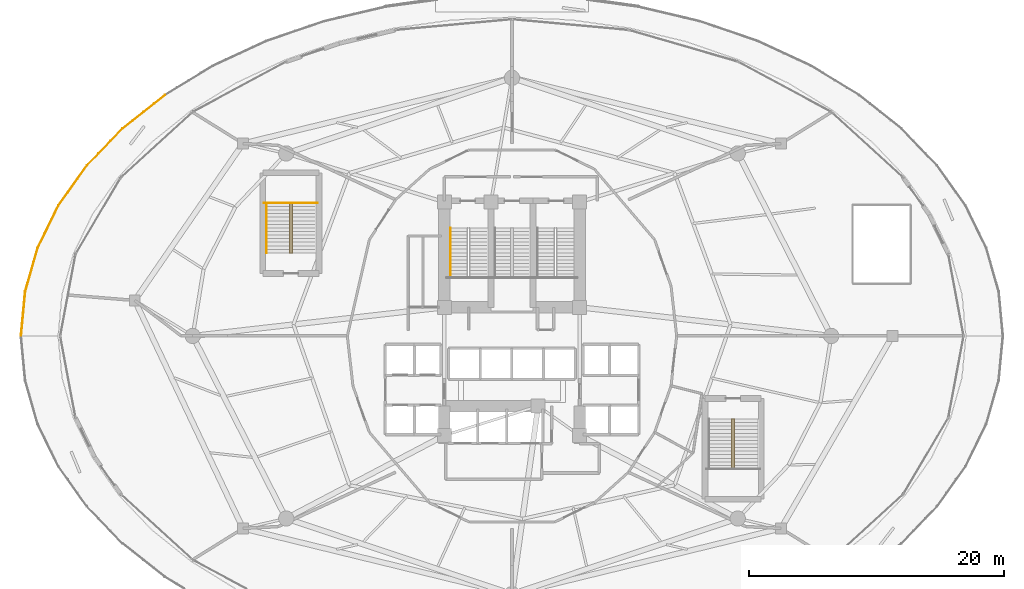
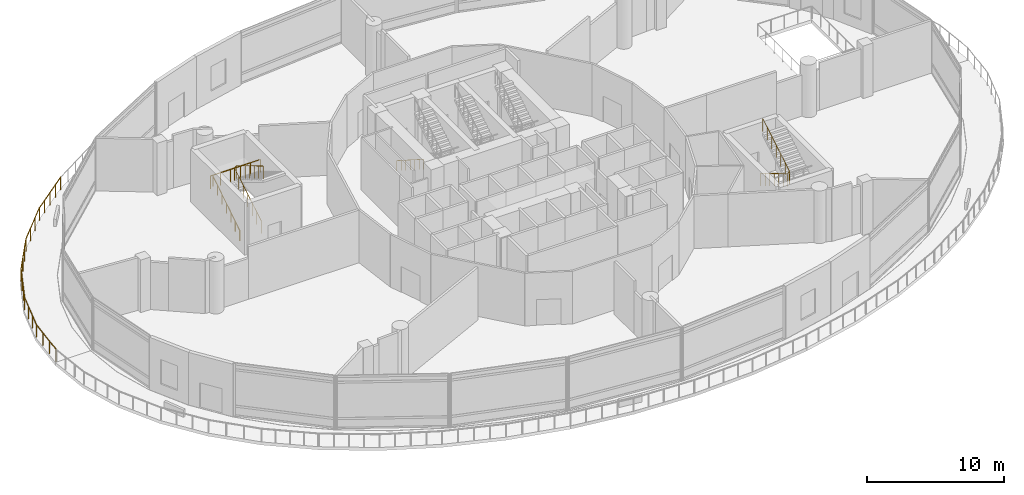
# One storey, part 33 of 36: 6 railings.
"""IFC4 building model written with IfcOpenShell, lengths in metres."""

import ifcopenshell
import ifcopenshell.guid

model = None  # the IFC model being written
_history = None  # IfcOwnerHistory: only IFC2X3 demands one
_inside = {}  # id of a spatial element -> (the spatial element, [elements in it])
_under = {}  # id of a project, library or spatial element -> (it, [spatial elements below it])
_declared = {}  # id of a project -> (the project, [libraries it declares])
_typed = {}  # id of a type object -> (the type object, [elements of that type])
_made_of = {}  # id of a material, layer set ... -> (it, [elements and type objects made of it])


def new_model(schema):
    """Start an empty IFC model of exactly this schema.

    Asked for "IFC4X3", IfcOpenShell would pick the latest addendum, in which some entities
    have other attributes; the version numbers below select the first issue.
    IFC2X3 requires an IfcOwnerHistory on every rooted entity: one is made here for all.
    """
    global model, _history
    if schema == "IFC4X3":
        model = ifcopenshell.file(schema_version=(4, 3, 0, 0))
    else:
        model = ifcopenshell.file(schema=schema)
    _inside.clear()
    _under.clear()
    _declared.clear()
    _typed.clear()
    _made_of.clear()
    _history = None
    if model.schema == "IFC2X3":
        org = make("IfcOrganization", Name="unknown")
        user = make(
            "IfcPersonAndOrganization",
            ThePerson=make("IfcPerson", FamilyName="unknown"),
            TheOrganization=org,
        )
        app = make(
            "IfcApplication",
            ApplicationDeveloper=org,
            Version="unknown",
            ApplicationFullName="unknown",
            ApplicationIdentifier="unknown",
        )
        _history = make(
            "IfcOwnerHistory",
            OwningUser=user,
            OwningApplication=app,
            ChangeAction="ADDED",
            CreationDate=0,
        )
    return model


def make(cls, **values):
    """One entity of the class cls with the attributes given. An attribute that is None is left unset."""
    return model.create_entity(
        cls, **{name: value for name, value in values.items() if value is not None}
    )


def rooted(cls, **values):
    """An entity with a GlobalId (a new one), such as an element, a storey or a relation."""
    return make(cls, GlobalId=ifcopenshell.guid.new(), OwnerHistory=_history, **values)


def si_unit(unit_type, name, prefix=None):
    """IfcSIUnit, for example si_unit("LENGTHUNIT", "METRE", prefix="MILLI")."""
    return make("IfcSIUnit", UnitType=unit_type, Prefix=prefix, Name=name)


def assignment(units):
    """IfcUnitAssignment: the units of a project."""
    return None if units is None else make("IfcUnitAssignment", Units=units)


def point(xyz):
    """IfcCartesianPoint."""
    return None if xyz is None else make("IfcCartesianPoint", Coordinates=xyz)


def direction(xyz):
    """IfcDirection."""
    return None if xyz is None else make("IfcDirection", DirectionRatios=xyz)


def frame(location, z_axis=None, x_axis=None):
    """IfcAxis2Placement3D, a coordinate frame: its origin and axes. An axis left out is left unset."""
    return make(
        "IfcAxis2Placement3D",
        Location=point(location),
        Axis=direction(z_axis),
        RefDirection=direction(x_axis),
    )


def origin():
    """The frame at (0, 0, 0) with its axes left unset."""
    return frame((0.0, 0.0, 0.0))


def place(relative_to, where):
    """IfcLocalPlacement: puts the frame where relative to a parent placement (None: the world)."""
    return make(
        "IfcLocalPlacement", PlacementRelTo=relative_to, RelativePlacement=where
    )


def context(
    kind, dimensions, precision=None, world=None, true_north=None, identifier=None
):
    """IfcGeometricRepresentationContext, for example the 3D "Model" context."""
    return make(
        "IfcGeometricRepresentationContext",
        ContextIdentifier=identifier,
        ContextType=kind,
        CoordinateSpaceDimension=dimensions,
        Precision=precision,
        WorldCoordinateSystem=world,
        TrueNorth=true_north,
    )


def subcontext(parent, identifier, kind, view, scale=None):
    """IfcGeometricRepresentationSubContext, for example "Body" below "Model"."""
    return make(
        "IfcGeometricRepresentationSubContext",
        ContextIdentifier=identifier,
        ContextType=kind,
        ParentContext=parent,
        TargetScale=scale,
        TargetView=view,
    )


def project(units=None, contexts=None):
    """IfcProject with its units and contexts."""
    return rooted(
        "IfcProject",
        Name="project",
        RepresentationContexts=contexts,
        UnitsInContext=assignment(units),
    )


def spatial(cls, under=None, at=None, **own):
    """A site, building, storey or space (cls), placed at a placement, below another one or the project."""
    s = rooted(cls, ObjectPlacement=at, **own)
    if under is not None:
        _under.setdefault(under.id(), (under, []))[1].append(s)
    return s


def polyline(points):
    """IfcPolyline through the points."""
    return make("IfcPolyline", Points=[point(p) for p in points])


def outline(outer, holes=None, kind="AREA"):
    """IfcArbitraryClosedProfileDef: a profile drawn as a closed curve; with holes, ...WithVoids."""
    if holes is None:
        return make("IfcArbitraryClosedProfileDef", ProfileType=kind, OuterCurve=outer)
    return make(
        "IfcArbitraryProfileDefWithVoids",
        ProfileType=kind,
        OuterCurve=outer,
        InnerCurves=holes,
    )


def extrude(swept, where, along, depth):
    """IfcExtrudedAreaSolid: the profile swept, set in the frame where, extruded along a direction by depth."""
    return make(
        "IfcExtrudedAreaSolid",
        SweptArea=swept,
        Position=where,
        ExtrudedDirection=direction(along),
        Depth=depth,
    )


def shape(context_of_items, identifier, shape_type, items):
    """IfcShapeRepresentation: the items that make up one representation, for example the "Body"."""
    return make(
        "IfcShapeRepresentation",
        ContextOfItems=context_of_items,
        RepresentationIdentifier=identifier,
        RepresentationType=shape_type,
        Items=items,
    )


def material(Name=None, Category=None):
    """IfcMaterial."""
    return make("IfcMaterial", Name=Name, Category=Category)


def made_of(thing, what):
    """Note that an element or type object is made of a material, layer set ...; save() writes the relation."""
    if what is not None:
        _made_of.setdefault(what.id(), (what, []))[1].append(thing)
    return thing


def type_object(cls, material=None, **own):
    """A type object (cls), such as IfcWallType, which elements share."""
    return made_of(rooted(cls, **own), material)


def element(
    cls,
    number,
    at=None,
    inside=None,
    cuts=None,
    type_object=None,
    material=None,
    context=None,
    identifier="Body",
    shape_type=None,
    held_by="IfcProductDefinitionShape",
    body=None,
    shapes=None,
    **own,
):
    """One element of the class cls, such as IfcWall. Its Tag is "e" and its number.

    at: its placement. inside: the storey or other place that contains it. cuts: it is an
    opening in that element (IfcRelVoidsElement). A single representation is given by context,
    identifier, shape_type and body (its items); several are given by shapes. held_by: the class
    of the entity that holds the representations. save() writes the other relations.
    """
    e = rooted(cls, Tag="e%d" % number, ObjectPlacement=at, **own)
    if body is not None:
        shapes = [shape(context, identifier, shape_type, body)]
    if shapes is not None:
        e.Representation = make(held_by, Representations=shapes)
    if inside is not None:
        _inside.setdefault(inside.id(), (inside, []))[1].append(e)
    if cuts is not None:
        rooted(
            "IfcRelVoidsElement", RelatingBuildingElement=cuts, RelatedOpeningElement=e
        )
    if type_object is not None:
        _typed.setdefault(type_object.id(), (type_object, []))[1].append(e)
    return made_of(e, material)


def aggregate(whole, parts):
    """IfcRelAggregates: a whole, such as a stair, and the parts it consists of."""
    return rooted("IfcRelAggregates", RelatingObject=whole, RelatedObjects=parts)


def save(model, path):
    """Write the relations noted so far, then the file.

    IfcRelAggregates (storeys below a building ...), IfcRelContainedInSpatialStructure (elements
    in a storey), IfcRelDefinesByType, IfcRelAssociatesMaterial and IfcRelDeclares: one each for
    every whole, place, type object, material and project.
    """
    for whole, parts in _under.values():
        aggregate(whole, parts)
    for where, things in _inside.values():
        rooted(
            "IfcRelContainedInSpatialStructure",
            RelatedElements=things,
            RelatingStructure=where,
        )
    for kind, things in _typed.values():
        rooted("IfcRelDefinesByType", RelatedObjects=things, RelatingType=kind)
    for what, things in _made_of.values():
        rooted("IfcRelAssociatesMaterial", RelatedObjects=things, RelatingMaterial=what)
    for by, libraries in _declared.values():
        rooted("IfcRelDeclares", RelatingContext=by, RelatedDefinitions=libraries)
    model.write(path)


model = new_model("IFC4")

# Units and contexts
model_context = context("Model", 3, precision=1e-05, world=origin(), true_north=direction((0.0, 1.0)))
body_context = subcontext(model_context, "Body", "Model", "MODEL_VIEW")
ifc_project = project(units=[si_unit("LENGTHUNIT", "METRE"), si_unit("AREAUNIT", "SQUARE_METRE"), si_unit("VOLUMEUNIT", "CUBIC_METRE"), si_unit("PLANEANGLEUNIT", "RADIAN"), si_unit("MASSUNIT", "GRAM", prefix="KILO")], contexts=[model_context])

# Site, building, storey
site_placement = place(None, origin())
site = spatial("IfcSite", under=ifc_project, at=site_placement, CompositionType="ELEMENT")
building_placement = place(site_placement, origin())
building = spatial("IfcBuilding", under=site, at=building_placement, Name="Nuhasar Tower", CompositionType="ELEMENT")
storey_placement = place(building_placement, frame((0.0, 0.0, 11.0)))
storey = spatial("IfcBuildingStorey", under=building, at=storey_placement, Name="L02", CompositionType="ELEMENT", Elevation=11.0)

# Railings
ifc_material_1 = material(Name="Steel S355", Category="steel")
railing_type_1 = type_object("IfcRailingType", Name="RLG-STAIR-GUARD-1150", PredefinedType="GUARDRAIL", material=ifc_material_1)
railing_1_placement = place(storey_placement, frame((19.550048828125, 37.235107421875, 2.5)))
element("IfcRailing", 1, at=railing_1_placement, inside=storey, type_object=railing_type_1, Name="L02 Stair ST-04 Guardrail LND", PredefinedType="GUARDRAIL", context=body_context, shape_type="SweptSolid", body=[
    extrude(outline(polyline([(0.024169921875, 0.0), (0.01708984375, 0.01708984375), (0.0, 0.024169921875), (-0.01708984375, 0.01708984375), (-0.024169921875, 0.0), (-0.01708984375, -0.01708984375), (0.0, -0.024169921875), (0.01708984375, -0.01708984375), (0.024169921875, 0.0)])), frame((0.0, 0.0, 1.1259765625), z_axis=(1.0, 0.0, 0.0), x_axis=(0.0, 1.0, 0.0)), (0.0, 0.0, 1.0), 4.199951171875),
    extrude(outline(polyline([(0.02099609375, 0.0), (0.014892578125, 0.014892578125), (0.0, 0.02099609375), (-0.014892578125, 0.014892578125), (-0.02099609375, 0.0), (-0.014892578125, -0.014892578125), (0.0, -0.02099609375), (0.014892578125, -0.014892578125), (0.02099609375, 0.0)])), origin(), (0.0, 0.0, 1.0), 1.101806640625),
    extrude(outline(polyline([(0.02099609375, 0.0), (0.014892578125, 0.014892578125), (0.0, 0.02099609375), (-0.014892578125, 0.014892578125), (-0.02099609375, 0.0), (-0.014892578125, -0.014892578125), (0.0, -0.02099609375), (0.014892578125, -0.014892578125), (0.02099609375, 0.0)])), frame((0.840087890625, 0.0, 0.0)), (0.0, 0.0, 1.0), 1.101806640625),
    extrude(outline(polyline([(0.02099609375, 0.0), (0.014892578125, 0.014892578125), (0.0, 0.02099609375), (-0.014892578125, 0.014892578125), (-0.02099609375, 0.0), (-0.014892578125, -0.014892578125), (0.0, -0.02099609375), (0.014892578125, -0.014892578125), (0.02099609375, 0.0)])), frame((1.679931640625, 0.0, 0.0)), (0.0, 0.0, 1.0), 1.101806640625),
    extrude(outline(polyline([(0.02099609375, 0.0), (0.014892578125, 0.014892578125), (0.0, 0.02099609375), (-0.014892578125, 0.014892578125), (-0.02099609375, 0.0), (-0.014892578125, -0.014892578125), (0.0, -0.02099609375), (0.014892578125, -0.014892578125), (0.02099609375, 0.0)])), frame((2.52001953125, 0.0, 0.0)), (0.0, 0.0, 1.0), 1.101806640625),
    extrude(outline(polyline([(0.02099609375, 0.0), (0.014892578125, 0.014892578125), (0.0, 0.02099609375), (-0.014892578125, 0.014892578125), (-0.02099609375, 0.0), (-0.014892578125, -0.014892578125), (0.0, -0.02099609375), (0.014892578125, -0.014892578125), (0.02099609375, 0.0)])), frame((3.35986328125, 0.0, 0.0)), (0.0, 0.0, 1.0), 1.101806640625),
    extrude(outline(polyline([(0.02099609375, 0.0), (0.014892578125, 0.014892578125), (0.0, 0.02099609375), (-0.014892578125, 0.014892578125), (-0.02099609375, 0.0), (-0.014892578125, -0.014892578125), (0.0, -0.02099609375), (0.014892578125, -0.014892578125), (0.02099609375, 0.0)])), frame((4.199951171875, 0.0, 0.0)), (0.0, 0.0, 1.0), 1.101806640625),
])
railing_2_placement = place(storey_placement, frame((21.570068359375, 33.31494140625, 0.1669921875)))
element("IfcRailing", 2, at=railing_2_placement, inside=storey, type_object=railing_type_1, Name="L02 Stair ST-04 Guardrail SLT", PredefinedType="GUARDRAIL", context=body_context, shape_type="SweptSolid", body=[
    extrude(outline(polyline([(0.024169921875, 0.0), (0.01708984375, 0.01708984375), (0.0, 0.024169921875), (-0.01708984375, 0.01708984375), (-0.024169921875, 0.0), (-0.01708984375, -0.01708984375), (0.0, -0.024169921875), (0.01708984375, -0.01708984375), (0.024169921875, 0.0)])), frame((0.0, 0.0, 1.1259765625), z_axis=(0.0, 0.859333764799, 0.511415174467), x_axis=(-1.0, 0.0, 0.0)), (0.0, 0.0, 1.0), 4.561767578125),
    extrude(outline(polyline([(0.024169921875, 0.0), (0.01708984375, 0.01708984375), (0.0, 0.024169921875), (-0.01708984375, 0.01708984375), (-0.024169921875, 0.0), (-0.01708984375, -0.01708984375), (0.0, -0.024169921875), (0.01708984375, -0.01708984375), (0.024169921875, 0.0)])), frame((0.0, 3.920166015625, 3.458984375), z_axis=(0.691630103864, 0.0, 0.722251894722), x_axis=(0.0, 1.0, 0.0)), (0.0, 0.0, 1.0), 0.231201171875),
    extrude(outline(polyline([(0.024169921875, 0.0), (0.01708984375, 0.01708984375), (0.0, 0.024169921875), (-0.01708984375, 0.01708984375), (-0.024169921875, 0.0), (-0.01708984375, -0.01708984375), (0.0, -0.024169921875), (0.01708984375, -0.01708984375), (0.024169921875, 0.0)])), frame((0.159912109375, 3.920166015625, 3.6259765625), z_axis=(0.0, -0.859333764799, 0.511415174467), x_axis=(1.0, 0.0, 0.0)), (0.0, 0.0, 1.0), 4.561767578125),
    extrude(outline(polyline([(0.02099609375, 0.0), (0.014892578125, 0.014892578125), (0.0, 0.02099609375), (-0.014892578125, 0.014892578125), (-0.02099609375, 0.0), (-0.014892578125, -0.014892578125), (0.0, -0.02099609375), (0.014892578125, -0.014892578125), (0.02099609375, 0.0)])), origin(), (0.0, 0.0, 1.0), 1.101806640625),
    extrude(outline(polyline([(0.02099609375, 0.0), (0.014892578125, 0.014892578125), (0.0, 0.02099609375), (-0.014892578125, 0.014892578125), (-0.02099609375, 0.0), (-0.014892578125, -0.014892578125), (0.0, -0.02099609375), (0.014892578125, -0.014892578125), (0.02099609375, 0.0)])), frame((0.0, 0.6533203125, 0.388916015625)), (0.0, 0.0, 1.0), 1.101806640625),
    extrude(outline(polyline([(0.02099609375, 0.0), (0.014892578125, 0.014892578125), (0.0, 0.02099609375), (-0.014892578125, 0.014892578125), (-0.02099609375, 0.0), (-0.014892578125, -0.014892578125), (0.0, -0.02099609375), (0.014892578125, -0.014892578125), (0.02099609375, 0.0)])), frame((0.0, 1.306640625, 0.777587890625)), (0.0, 0.0, 1.0), 1.101806640625),
    extrude(outline(polyline([(0.02099609375, 0.0), (0.014892578125, 0.014892578125), (0.0, 0.02099609375), (-0.014892578125, 0.014892578125), (-0.02099609375, 0.0), (-0.014892578125, -0.014892578125), (0.0, -0.02099609375), (0.014892578125, -0.014892578125), (0.02099609375, 0.0)])), frame((0.0, 1.9599609375, 1.16650390625)), (0.0, 0.0, 1.0), 1.101806640625),
    extrude(outline(polyline([(0.02099609375, 0.0), (0.014892578125, 0.014892578125), (0.0, 0.02099609375), (-0.014892578125, 0.014892578125), (-0.02099609375, 0.0), (-0.014892578125, -0.014892578125), (0.0, -0.02099609375), (0.014892578125, -0.014892578125), (0.02099609375, 0.0)])), frame((0.0, 2.613525390625, 1.555419921875)), (0.0, 0.0, 1.0), 1.101806640625),
    extrude(outline(polyline([(0.02099609375, 0.0), (0.014892578125, 0.014892578125), (0.0, 0.02099609375), (-0.014892578125, 0.014892578125), (-0.02099609375, 0.0), (-0.014892578125, -0.014892578125), (0.0, -0.02099609375), (0.014892578125, -0.014892578125), (0.02099609375, 0.0)])), frame((0.0, 3.266845703125, 1.944091796875)), (0.0, 0.0, 1.0), 1.101806640625),
    extrude(outline(polyline([(0.02099609375, 0.0), (0.014892578125, 0.014892578125), (0.0, 0.02099609375), (-0.014892578125, 0.014892578125), (-0.02099609375, 0.0), (-0.014892578125, -0.014892578125), (0.0, -0.02099609375), (0.014892578125, -0.014892578125), (0.02099609375, 0.0)])), frame((0.0, 3.920166015625, 2.3330078125)), (0.0, 0.0, 1.0), 1.101806640625),
    extrude(outline(polyline([(0.02099609375, 0.0), (0.014892578125, 0.014892578125), (0.0, 0.02099609375), (-0.014892578125, 0.014892578125), (-0.02099609375, 0.0), (-0.014892578125, -0.014892578125), (0.0, -0.02099609375), (0.014892578125, -0.014892578125), (0.02099609375, 0.0)])), frame((0.159912109375, 3.920166015625, 2.5)), (0.0, 0.0, 1.0), 1.101806640625),
    extrude(outline(polyline([(0.02099609375, 0.0), (0.014892578125, 0.014892578125), (0.0, 0.02099609375), (-0.014892578125, 0.014892578125), (-0.02099609375, 0.0), (-0.014892578125, -0.014892578125), (0.0, -0.02099609375), (0.014892578125, -0.014892578125), (0.02099609375, 0.0)])), frame((0.159912109375, 3.266845703125, 2.888916015625)), (0.0, 0.0, 1.0), 1.101806640625),
    extrude(outline(polyline([(0.02099609375, 0.0), (0.014892578125, 0.014892578125), (0.0, 0.02099609375), (-0.014892578125, 0.014892578125), (-0.02099609375, 0.0), (-0.014892578125, -0.014892578125), (0.0, -0.02099609375), (0.014892578125, -0.014892578125), (0.02099609375, 0.0)])), frame((0.159912109375, 2.613525390625, 3.277587890625)), (0.0, 0.0, 1.0), 1.101806640625),
    extrude(outline(polyline([(0.02099609375, 0.0), (0.014892578125, 0.014892578125), (0.0, 0.02099609375), (-0.014892578125, 0.014892578125), (-0.02099609375, 0.0), (-0.014892578125, -0.014892578125), (0.0, -0.02099609375), (0.014892578125, -0.014892578125), (0.02099609375, 0.0)])), frame((0.159912109375, 1.9599609375, 3.66650390625)), (0.0, 0.0, 1.0), 1.101806640625),
    extrude(outline(polyline([(0.02099609375, 0.0), (0.014892578125, 0.014892578125), (0.0, 0.02099609375), (-0.014892578125, 0.014892578125), (-0.02099609375, 0.0), (-0.014892578125, -0.014892578125), (0.0, -0.02099609375), (0.014892578125, -0.014892578125), (0.02099609375, 0.0)])), frame((0.159912109375, 1.306640625, 4.055419921875)), (0.0, 0.0, 1.0), 1.101806640625),
    extrude(outline(polyline([(0.02099609375, 0.0), (0.014892578125, 0.014892578125), (0.0, 0.02099609375), (-0.014892578125, 0.014892578125), (-0.02099609375, 0.0), (-0.014892578125, -0.014892578125), (0.0, -0.02099609375), (0.014892578125, -0.014892578125), (0.02099609375, 0.0)])), frame((0.159912109375, 0.6533203125, 4.444091796875)), (0.0, 0.0, 1.0), 1.101806640625),
    extrude(outline(polyline([(0.02099609375, 0.0), (0.014892578125, 0.014892578125), (0.0, 0.02099609375), (-0.014892578125, 0.014892578125), (-0.02099609375, 0.0), (-0.014892578125, -0.014892578125), (0.0, -0.02099609375), (0.014892578125, -0.014892578125), (0.02099609375, 0.0)])), frame((0.159912109375, 0.0, 4.8330078125)), (0.0, 0.0, 1.0), 1.101806640625),
])
railing_3_placement = place(storey_placement, frame((56.27001953125, 20.284912109375, 0.1669921875)))
element("IfcRailing", 3, at=railing_3_placement, inside=storey, type_object=railing_type_1, Name="L02 Stair ST-05 Guardrail SLT", PredefinedType="GUARDRAIL", context=body_context, shape_type="SweptSolid", body=[
    extrude(outline(polyline([(0.024169921875, 0.0), (0.01708984375, 0.01708984375), (0.0, 0.024169921875), (-0.01708984375, 0.01708984375), (-0.024169921875, 0.0), (-0.01708984375, -0.01708984375), (0.0, -0.024169921875), (0.01708984375, -0.01708984375), (0.024169921875, 0.0)])), frame((0.0, 0.0, 1.1259765625), z_axis=(0.0, -0.85931976652, 0.511438695121), x_axis=(1.0, 0.0, 0.0)), (0.0, 0.0, 1.0), 4.561767578125),
    extrude(outline(polyline([(0.024169921875, 0.0), (0.01708984375, 0.01708984375), (0.0, 0.024169921875), (-0.01708984375, 0.01708984375), (-0.024169921875, 0.0), (-0.01708984375, -0.01708984375), (0.0, -0.024169921875), (0.01708984375, -0.01708984375), (0.024169921875, 0.0)])), frame((0.0, -3.919921875, 3.458984375), z_axis=(0.691630103864, 0.0, 0.722251894722), x_axis=(0.0, 1.0, 0.0)), (0.0, 0.0, 1.0), 0.231201171875),
    extrude(outline(polyline([(0.024169921875, 0.0), (0.01708984375, 0.01708984375), (0.0, 0.024169921875), (-0.01708984375, 0.01708984375), (-0.024169921875, 0.0), (-0.01708984375, -0.01708984375), (0.0, -0.024169921875), (0.01708984375, -0.01708984375), (0.024169921875, 0.0)])), frame((0.159912109375, -3.919921875, 3.6259765625), z_axis=(0.0, 0.85931976652, 0.511438695121), x_axis=(-1.0, 0.0, 0.0)), (0.0, 0.0, 1.0), 4.561767578125),
    extrude(outline(polyline([(0.02099609375, 0.0), (0.014892578125, 0.014892578125), (0.0, 0.02099609375), (-0.014892578125, 0.014892578125), (-0.02099609375, 0.0), (-0.014892578125, -0.014892578125), (0.0, -0.02099609375), (0.014892578125, -0.014892578125), (0.02099609375, 0.0)])), origin(), (0.0, 0.0, 1.0), 1.101806640625),
    extrude(outline(polyline([(0.02099609375, 0.0), (0.014892578125, 0.014892578125), (0.0, 0.02099609375), (-0.014892578125, 0.014892578125), (-0.02099609375, 0.0), (-0.014892578125, -0.014892578125), (0.0, -0.02099609375), (0.014892578125, -0.014892578125), (0.02099609375, 0.0)])), frame((0.0, -0.6533203125, 0.388916015625)), (0.0, 0.0, 1.0), 1.101806640625),
    extrude(outline(polyline([(0.02099609375, 0.0), (0.014892578125, 0.014892578125), (0.0, 0.02099609375), (-0.014892578125, 0.014892578125), (-0.02099609375, 0.0), (-0.014892578125, -0.014892578125), (0.0, -0.02099609375), (0.014892578125, -0.014892578125), (0.02099609375, 0.0)])), frame((0.0, -1.306640625, 0.777587890625)), (0.0, 0.0, 1.0), 1.101806640625),
    extrude(outline(polyline([(0.02099609375, 0.0), (0.014892578125, 0.014892578125), (0.0, 0.02099609375), (-0.014892578125, 0.014892578125), (-0.02099609375, 0.0), (-0.014892578125, -0.014892578125), (0.0, -0.02099609375), (0.014892578125, -0.014892578125), (0.02099609375, 0.0)])), frame((0.0, -1.9599609375, 1.16650390625)), (0.0, 0.0, 1.0), 1.101806640625),
    extrude(outline(polyline([(0.02099609375, 0.0), (0.014892578125, 0.014892578125), (0.0, 0.02099609375), (-0.014892578125, 0.014892578125), (-0.02099609375, 0.0), (-0.014892578125, -0.014892578125), (0.0, -0.02099609375), (0.014892578125, -0.014892578125), (0.02099609375, 0.0)])), frame((0.0, -2.61328125, 1.555419921875)), (0.0, 0.0, 1.0), 1.101806640625),
    extrude(outline(polyline([(0.02099609375, 0.0), (0.014892578125, 0.014892578125), (0.0, 0.02099609375), (-0.014892578125, 0.014892578125), (-0.02099609375, 0.0), (-0.014892578125, -0.014892578125), (0.0, -0.02099609375), (0.014892578125, -0.014892578125), (0.02099609375, 0.0)])), frame((0.0, -3.2666015625, 1.944091796875)), (0.0, 0.0, 1.0), 1.101806640625),
    extrude(outline(polyline([(0.02099609375, 0.0), (0.014892578125, 0.014892578125), (0.0, 0.02099609375), (-0.014892578125, 0.014892578125), (-0.02099609375, 0.0), (-0.014892578125, -0.014892578125), (0.0, -0.02099609375), (0.014892578125, -0.014892578125), (0.02099609375, 0.0)])), frame((0.0, -3.919921875, 2.3330078125)), (0.0, 0.0, 1.0), 1.101806640625),
    extrude(outline(polyline([(0.02099609375, 0.0), (0.014892578125, 0.014892578125), (0.0, 0.02099609375), (-0.014892578125, 0.014892578125), (-0.02099609375, 0.0), (-0.014892578125, -0.014892578125), (0.0, -0.02099609375), (0.014892578125, -0.014892578125), (0.02099609375, 0.0)])), frame((0.159912109375, -3.919921875, 2.5)), (0.0, 0.0, 1.0), 1.101806640625),
    extrude(outline(polyline([(0.02099609375, 0.0), (0.014892578125, 0.014892578125), (0.0, 0.02099609375), (-0.014892578125, 0.014892578125), (-0.02099609375, 0.0), (-0.014892578125, -0.014892578125), (0.0, -0.02099609375), (0.014892578125, -0.014892578125), (0.02099609375, 0.0)])), frame((0.159912109375, -3.2666015625, 2.888916015625)), (0.0, 0.0, 1.0), 1.101806640625),
    extrude(outline(polyline([(0.02099609375, 0.0), (0.014892578125, 0.014892578125), (0.0, 0.02099609375), (-0.014892578125, 0.014892578125), (-0.02099609375, 0.0), (-0.014892578125, -0.014892578125), (0.0, -0.02099609375), (0.014892578125, -0.014892578125), (0.02099609375, 0.0)])), frame((0.159912109375, -2.61328125, 3.277587890625)), (0.0, 0.0, 1.0), 1.101806640625),
    extrude(outline(polyline([(0.02099609375, 0.0), (0.014892578125, 0.014892578125), (0.0, 0.02099609375), (-0.014892578125, 0.014892578125), (-0.02099609375, 0.0), (-0.014892578125, -0.014892578125), (0.0, -0.02099609375), (0.014892578125, -0.014892578125), (0.02099609375, 0.0)])), frame((0.159912109375, -1.9599609375, 3.66650390625)), (0.0, 0.0, 1.0), 1.101806640625),
    extrude(outline(polyline([(0.02099609375, 0.0), (0.014892578125, 0.014892578125), (0.0, 0.02099609375), (-0.014892578125, 0.014892578125), (-0.02099609375, 0.0), (-0.014892578125, -0.014892578125), (0.0, -0.02099609375), (0.014892578125, -0.014892578125), (0.02099609375, 0.0)])), frame((0.159912109375, -1.306640625, 4.055419921875)), (0.0, 0.0, 1.0), 1.101806640625),
    extrude(outline(polyline([(0.02099609375, 0.0), (0.014892578125, 0.014892578125), (0.0, 0.02099609375), (-0.014892578125, 0.014892578125), (-0.02099609375, 0.0), (-0.014892578125, -0.014892578125), (0.0, -0.02099609375), (0.014892578125, -0.014892578125), (0.02099609375, 0.0)])), frame((0.159912109375, -0.6533203125, 4.444091796875)), (0.0, 0.0, 1.0), 1.101806640625),
    extrude(outline(polyline([(0.02099609375, 0.0), (0.014892578125, 0.014892578125), (0.0, 0.02099609375), (-0.014892578125, 0.014892578125), (-0.02099609375, 0.0), (-0.014892578125, -0.014892578125), (0.0, -0.02099609375), (0.014892578125, -0.014892578125), (0.02099609375, 0.0)])), frame((0.159912109375, 0.0, 4.8330078125)), (0.0, 0.0, 1.0), 1.101806640625),
])
ifc_material_2 = material(Name="Stainless Steel 316L", Category="steel")
railing_type_2 = type_object("IfcRailingType", Name="RLG-STAIR-HAND-920", PredefinedType="HANDRAIL", material=ifc_material_2)
railing_4_placement = place(storey_placement, frame((34.169921875, 35.284912109375, 0.1669921875)))
element("IfcRailing", 4, at=railing_4_placement, inside=storey, type_object=railing_type_2, Name="L02 Stair ST-01 Handrail HND1", PredefinedType="HANDRAIL", context=body_context, shape_type="SweptSolid", body=[
    extrude(outline(polyline([(0.024169921875, 0.0), (0.01708984375, 0.01708984375), (0.0, 0.024169921875), (-0.01708984375, 0.01708984375), (-0.024169921875, 0.0), (-0.01708984375, -0.01708984375), (0.0, -0.024169921875), (0.01708984375, -0.01708984375), (0.024169921875, 0.0)])), frame((0.0, 0.0, 0.89599609375), z_axis=(0.0, -0.843124831705, 0.537717879712), x_axis=(1.0, 0.0, 0.0)), (0.0, 0.0, 1.0), 4.649169921875),
    extrude(outline(polyline([(0.02099609375, 0.0), (0.014892578125, 0.014892578125), (0.0, 0.02099609375), (-0.014892578125, 0.014892578125), (-0.02099609375, 0.0), (-0.014892578125, -0.014892578125), (0.0, -0.02099609375), (0.014892578125, -0.014892578125), (0.02099609375, 0.0)])), origin(), (0.0, 0.0, 1.0), 0.871826171875),
    extrude(outline(polyline([(0.02099609375, 0.0), (0.014892578125, 0.014892578125), (0.0, 0.02099609375), (-0.014892578125, 0.014892578125), (-0.02099609375, 0.0), (-0.014892578125, -0.014892578125), (0.0, -0.02099609375), (0.014892578125, -0.014892578125), (0.02099609375, 0.0)])), frame((0.0, -0.6533203125, 0.416748046875)), (0.0, 0.0, 1.0), 0.871826171875),
    extrude(outline(polyline([(0.02099609375, 0.0), (0.014892578125, 0.014892578125), (0.0, 0.02099609375), (-0.014892578125, 0.014892578125), (-0.02099609375, 0.0), (-0.014892578125, -0.014892578125), (0.0, -0.02099609375), (0.014892578125, -0.014892578125), (0.02099609375, 0.0)])), frame((0.0, -1.306640625, 0.833251953125)), (0.0, 0.0, 1.0), 0.871826171875),
    extrude(outline(polyline([(0.02099609375, 0.0), (0.014892578125, 0.014892578125), (0.0, 0.02099609375), (-0.014892578125, 0.014892578125), (-0.02099609375, 0.0), (-0.014892578125, -0.014892578125), (0.0, -0.02099609375), (0.014892578125, -0.014892578125), (0.02099609375, 0.0)])), frame((0.0, -1.9599609375, 1.25)), (0.0, 0.0, 1.0), 0.871826171875),
    extrude(outline(polyline([(0.02099609375, 0.0), (0.014892578125, 0.014892578125), (0.0, 0.02099609375), (-0.014892578125, 0.014892578125), (-0.02099609375, 0.0), (-0.014892578125, -0.014892578125), (0.0, -0.02099609375), (0.014892578125, -0.014892578125), (0.02099609375, 0.0)])), frame((0.0, -2.61328125, 1.666748046875)), (0.0, 0.0, 1.0), 0.871826171875),
    extrude(outline(polyline([(0.02099609375, 0.0), (0.014892578125, 0.014892578125), (0.0, 0.02099609375), (-0.014892578125, 0.014892578125), (-0.02099609375, 0.0), (-0.014892578125, -0.014892578125), (0.0, -0.02099609375), (0.014892578125, -0.014892578125), (0.02099609375, 0.0)])), frame((0.0, -3.2666015625, 2.083251953125)), (0.0, 0.0, 1.0), 0.871826171875),
    extrude(outline(polyline([(0.02099609375, 0.0), (0.014892578125, 0.014892578125), (0.0, 0.02099609375), (-0.014892578125, 0.014892578125), (-0.02099609375, 0.0), (-0.014892578125, -0.014892578125), (0.0, -0.02099609375), (0.014892578125, -0.014892578125), (0.02099609375, 0.0)])), frame((0.0, -3.919921875, 2.5)), (0.0, 0.0, 1.0), 0.871826171875),
])
railing_5_placement = place(storey_placement, frame((19.75, 33.31494140625, 0.1669921875)))
element("IfcRailing", 5, at=railing_5_placement, inside=storey, type_object=railing_type_2, Name="L02 Stair ST-04 Handrail HND1", PredefinedType="HANDRAIL", context=body_context, shape_type="SweptSolid", body=[
    extrude(outline(polyline([(0.024169921875, 0.0), (0.01708984375, 0.01708984375), (0.0, 0.024169921875), (-0.01708984375, 0.01708984375), (-0.024169921875, 0.0), (-0.01708984375, -0.01708984375), (0.0, -0.024169921875), (0.01708984375, -0.01708984375), (0.024169921875, 0.0)])), frame((0.0, 0.0, 0.89599609375), z_axis=(0.0, 0.843140013903, 0.53769407376), x_axis=(-1.0, 0.0, 0.0)), (0.0, 0.0, 1.0), 4.6494140625),
    extrude(outline(polyline([(0.02099609375, 0.0), (0.014892578125, 0.014892578125), (0.0, 0.02099609375), (-0.014892578125, 0.014892578125), (-0.02099609375, 0.0), (-0.014892578125, -0.014892578125), (0.0, -0.02099609375), (0.014892578125, -0.014892578125), (0.02099609375, 0.0)])), origin(), (0.0, 0.0, 1.0), 0.871826171875),
    extrude(outline(polyline([(0.02099609375, 0.0), (0.014892578125, 0.014892578125), (0.0, 0.02099609375), (-0.014892578125, 0.014892578125), (-0.02099609375, 0.0), (-0.014892578125, -0.014892578125), (0.0, -0.02099609375), (0.014892578125, -0.014892578125), (0.02099609375, 0.0)])), frame((0.0, 0.6533203125, 0.416748046875)), (0.0, 0.0, 1.0), 0.871826171875),
    extrude(outline(polyline([(0.02099609375, 0.0), (0.014892578125, 0.014892578125), (0.0, 0.02099609375), (-0.014892578125, 0.014892578125), (-0.02099609375, 0.0), (-0.014892578125, -0.014892578125), (0.0, -0.02099609375), (0.014892578125, -0.014892578125), (0.02099609375, 0.0)])), frame((0.0, 1.306640625, 0.833251953125)), (0.0, 0.0, 1.0), 0.871826171875),
    extrude(outline(polyline([(0.02099609375, 0.0), (0.014892578125, 0.014892578125), (0.0, 0.02099609375), (-0.014892578125, 0.014892578125), (-0.02099609375, 0.0), (-0.014892578125, -0.014892578125), (0.0, -0.02099609375), (0.014892578125, -0.014892578125), (0.02099609375, 0.0)])), frame((0.0, 1.9599609375, 1.25)), (0.0, 0.0, 1.0), 0.871826171875),
    extrude(outline(polyline([(0.02099609375, 0.0), (0.014892578125, 0.014892578125), (0.0, 0.02099609375), (-0.014892578125, 0.014892578125), (-0.02099609375, 0.0), (-0.014892578125, -0.014892578125), (0.0, -0.02099609375), (0.014892578125, -0.014892578125), (0.02099609375, 0.0)])), frame((0.0, 2.613525390625, 1.666748046875)), (0.0, 0.0, 1.0), 0.871826171875),
    extrude(outline(polyline([(0.02099609375, 0.0), (0.014892578125, 0.014892578125), (0.0, 0.02099609375), (-0.014892578125, 0.014892578125), (-0.02099609375, 0.0), (-0.014892578125, -0.014892578125), (0.0, -0.02099609375), (0.014892578125, -0.014892578125), (0.02099609375, 0.0)])), frame((0.0, 3.266845703125, 2.083251953125)), (0.0, 0.0, 1.0), 0.871826171875),
    extrude(outline(polyline([(0.02099609375, 0.0), (0.014892578125, 0.014892578125), (0.0, 0.02099609375), (-0.014892578125, 0.014892578125), (-0.02099609375, 0.0), (-0.014892578125, -0.014892578125), (0.0, -0.02099609375), (0.014892578125, -0.014892578125), (0.02099609375, 0.0)])), frame((0.0, 3.920166015625, 2.5)), (0.0, 0.0, 1.0), 0.871826171875),
])
railing_type_3 = type_object("IfcRailingType", Name="RLG-TERR-1150", PredefinedType="BALUSTRADE", material=ifc_material_1)
railing_6_placement = place(storey_placement, frame((11.761962890625, 45.694091796875, 0.0)))
element("IfcRailing", 6, at=railing_6_placement, inside=storey, type_object=railing_type_3, Name="L02 Bustan Terrace Perimeter Balustrade 04", PredefinedType="BALUSTRADE", context=body_context, shape_type="SweptSolid", body=[
    extrude(outline(polyline([(0.024169921875, 0.0), (0.01708984375, 0.01708984375), (0.0, 0.024169921875), (-0.01708984375, 0.01708984375), (-0.024169921875, 0.0), (-0.01708984375, -0.01708984375), (0.0, -0.024169921875), (0.01708984375, -0.01708984375), (0.024169921875, 0.0)])), frame((0.0, 0.0, 1.1259765625), z_axis=(-0.78424796889, -0.620447518564, 0.0), x_axis=(0.620447518564, -0.78424796889, 0.0)), (0.0, 0.0, 1.0), 4.23583984375),
    extrude(outline(polyline([(0.024169921875, 0.0), (0.01708984375, 0.01708984375), (0.0, 0.024169921875), (-0.01708984375, 0.01708984375), (-0.024169921875, 0.0), (-0.01708984375, -0.01708984375), (0.0, -0.024169921875), (0.01708984375, -0.01708984375), (0.024169921875, 0.0)])), frame((-3.322021484375, -2.628173828125, 1.1259765625), z_axis=(-0.693699827193, -0.72026422218, 0.0), x_axis=(0.72026422218, -0.693699827193, 0.0)), (0.0, 0.0, 1.0), 4.03466796875),
    extrude(outline(polyline([(0.024169921875, 0.0), (0.01708984375, 0.01708984375), (0.0, 0.024169921875), (-0.01708984375, 0.01708984375), (-0.024169921875, 0.0), (-0.01708984375, -0.01708984375), (0.0, -0.024169921875), (0.01708984375, -0.01708984375), (0.024169921875, 0.0)])), frame((-6.120849609375, -5.5341796875, 1.1259765625), z_axis=(-0.579465707946, -0.814996621658, 0.0), x_axis=(0.814996621658, -0.579465707946, 0.0)), (0.0, 0.0, 1.0), 3.8466796875),
    extrude(outline(polyline([(0.024169921875, 0.0), (0.01708984375, 0.01708984375), (0.0, 0.024169921875), (-0.01708984375, 0.01708984375), (-0.024169921875, 0.0), (-0.01708984375, -0.01708984375), (0.0, -0.024169921875), (0.01708984375, -0.01708984375), (0.024169921875, 0.0)])), frame((-8.349853515625, -8.669189453125, 1.1259765625), z_axis=(-0.439535798936, -0.898225072826, 0.0), x_axis=(0.898225072826, -0.439535798936, 0.0)), (0.0, 0.0, 1.0), 3.683837890625),
    extrude(outline(polyline([(0.024169921875, 0.0), (0.01708984375, 0.01708984375), (0.0, 0.024169921875), (-0.01708984375, 0.01708984375), (-0.024169921875, 0.0), (-0.01708984375, -0.01708984375), (0.0, -0.024169921875), (0.01708984375, -0.01708984375), (0.024169921875, 0.0)])), frame((-9.968994140625, -11.97802734375, 1.1259765625), z_axis=(-0.275625212335, -0.961265177943, 0.0), x_axis=(0.961265177943, -0.275625212335, 0.0)), (0.0, 0.0, 1.0), 3.566162109375),
    extrude(outline(polyline([(0.024169921875, 0.0), (0.01708984375, 0.01708984375), (0.0, 0.024169921875), (-0.01708984375, 0.01708984375), (-0.024169921875, 0.0), (-0.01708984375, -0.01708984375), (0.0, -0.024169921875), (0.01708984375, -0.01708984375), (0.024169921875, 0.0)])), frame((-10.951904296875, -15.406005859375, 1.1259765625), z_axis=(-0.094177023589, -0.995555467178, 0.0), x_axis=(0.995555467178, -0.094177023589, 0.0)), (0.0, 0.0, 1.0), 3.46337890625),
    extrude(outline(polyline([(0.02099609375, 0.0), (0.014892578125, 0.014892578125), (0.0, 0.02099609375), (-0.014892578125, 0.014892578125), (-0.02099609375, 0.0), (-0.014892578125, -0.014892578125), (0.0, -0.02099609375), (0.014892578125, -0.014892578125), (0.02099609375, 0.0)])), origin(), (0.0, 0.0, 1.0), 1.101806640625),
    extrude(outline(polyline([(0.02099609375, 0.0), (0.014892578125, 0.014892578125), (0.0, 0.02099609375), (-0.014892578125, 0.014892578125), (-0.02099609375, 0.0), (-0.014892578125, -0.014892578125), (0.0, -0.02099609375), (0.014892578125, -0.014892578125), (0.02099609375, 0.0)])), frame((-0.83056640625, -0.656982421875, 0.0)), (0.0, 0.0, 1.0), 1.101806640625),
    extrude(outline(polyline([(0.02099609375, 0.0), (0.014892578125, 0.014892578125), (0.0, 0.02099609375), (-0.014892578125, 0.014892578125), (-0.02099609375, 0.0), (-0.014892578125, -0.014892578125), (0.0, -0.02099609375), (0.014892578125, -0.014892578125), (0.02099609375, 0.0)])), frame((-1.6611328125, -1.31396484375, 0.0)), (0.0, 0.0, 1.0), 1.101806640625),
    extrude(outline(polyline([(0.02099609375, 0.0), (0.014892578125, 0.014892578125), (0.0, 0.02099609375), (-0.014892578125, 0.014892578125), (-0.02099609375, 0.0), (-0.014892578125, -0.014892578125), (0.0, -0.02099609375), (0.014892578125, -0.014892578125), (0.02099609375, 0.0)])), frame((-2.491455078125, -1.97119140625, 0.0)), (0.0, 0.0, 1.0), 1.101806640625),
    extrude(outline(polyline([(0.02099609375, 0.0), (0.014892578125, 0.014892578125), (0.0, 0.02099609375), (-0.014892578125, 0.014892578125), (-0.02099609375, 0.0), (-0.014892578125, -0.014892578125), (0.0, -0.02099609375), (0.014892578125, -0.014892578125), (0.02099609375, 0.0)])), frame((-3.322021484375, -2.628173828125, 0.0)), (0.0, 0.0, 1.0), 1.101806640625),
    extrude(outline(polyline([(0.02099609375, 0.0), (0.014892578125, 0.014892578125), (0.0, 0.02099609375), (-0.014892578125, 0.014892578125), (-0.02099609375, 0.0), (-0.014892578125, -0.014892578125), (0.0, -0.02099609375), (0.014892578125, -0.014892578125), (0.02099609375, 0.0)])), frame((-4.2548828125, -3.596923828125, 0.0)), (0.0, 0.0, 1.0), 1.101806640625),
    extrude(outline(polyline([(0.02099609375, 0.0), (0.014892578125, 0.014892578125), (0.0, 0.02099609375), (-0.014892578125, 0.014892578125), (-0.02099609375, 0.0), (-0.014892578125, -0.014892578125), (0.0, -0.02099609375), (0.014892578125, -0.014892578125), (0.02099609375, 0.0)])), frame((-5.18798828125, -4.5654296875, 0.0)), (0.0, 0.0, 1.0), 1.101806640625),
    extrude(outline(polyline([(0.02099609375, 0.0), (0.014892578125, 0.014892578125), (0.0, 0.02099609375), (-0.014892578125, 0.014892578125), (-0.02099609375, 0.0), (-0.014892578125, -0.014892578125), (0.0, -0.02099609375), (0.014892578125, -0.014892578125), (0.02099609375, 0.0)])), frame((-6.120849609375, -5.5341796875, 0.0)), (0.0, 0.0, 1.0), 1.101806640625),
    extrude(outline(polyline([(0.02099609375, 0.0), (0.014892578125, 0.014892578125), (0.0, 0.02099609375), (-0.014892578125, 0.014892578125), (-0.02099609375, 0.0), (-0.014892578125, -0.014892578125), (0.0, -0.02099609375), (0.014892578125, -0.014892578125), (0.02099609375, 0.0)])), frame((-6.86376953125, -6.5791015625, 0.0)), (0.0, 0.0, 1.0), 1.101806640625),
    extrude(outline(polyline([(0.02099609375, 0.0), (0.014892578125, 0.014892578125), (0.0, 0.02099609375), (-0.014892578125, 0.014892578125), (-0.02099609375, 0.0), (-0.014892578125, -0.014892578125), (0.0, -0.02099609375), (0.014892578125, -0.014892578125), (0.02099609375, 0.0)])), frame((-7.60693359375, -7.624267578125, 0.0)), (0.0, 0.0, 1.0), 1.101806640625),
    extrude(outline(polyline([(0.02099609375, 0.0), (0.014892578125, 0.014892578125), (0.0, 0.02099609375), (-0.014892578125, 0.014892578125), (-0.02099609375, 0.0), (-0.014892578125, -0.014892578125), (0.0, -0.02099609375), (0.014892578125, -0.014892578125), (0.02099609375, 0.0)])), frame((-8.349853515625, -8.669189453125, 0.0)), (0.0, 0.0, 1.0), 1.101806640625),
    extrude(outline(polyline([(0.02099609375, 0.0), (0.014892578125, 0.014892578125), (0.0, 0.02099609375), (-0.014892578125, 0.014892578125), (-0.02099609375, 0.0), (-0.014892578125, -0.014892578125), (0.0, -0.02099609375), (0.014892578125, -0.014892578125), (0.02099609375, 0.0)])), frame((-8.8896484375, -9.772216796875, 0.0)), (0.0, 0.0, 1.0), 1.101806640625),
    extrude(outline(polyline([(0.02099609375, 0.0), (0.014892578125, 0.014892578125), (0.0, 0.02099609375), (-0.014892578125, 0.014892578125), (-0.02099609375, 0.0), (-0.014892578125, -0.014892578125), (0.0, -0.02099609375), (0.014892578125, -0.014892578125), (0.02099609375, 0.0)])), frame((-9.42919921875, -10.875, 0.0)), (0.0, 0.0, 1.0), 1.101806640625),
    extrude(outline(polyline([(0.02099609375, 0.0), (0.014892578125, 0.014892578125), (0.0, 0.02099609375), (-0.014892578125, 0.014892578125), (-0.02099609375, 0.0), (-0.014892578125, -0.014892578125), (0.0, -0.02099609375), (0.014892578125, -0.014892578125), (0.02099609375, 0.0)])), frame((-9.968994140625, -11.97802734375, 0.0)), (0.0, 0.0, 1.0), 1.101806640625),
    extrude(outline(polyline([(0.02099609375, 0.0), (0.014892578125, 0.014892578125), (0.0, 0.02099609375), (-0.014892578125, 0.014892578125), (-0.02099609375, 0.0), (-0.014892578125, -0.014892578125), (0.0, -0.02099609375), (0.014892578125, -0.014892578125), (0.02099609375, 0.0)])), frame((-10.296630859375, -13.12060546875, 0.0)), (0.0, 0.0, 1.0), 1.101806640625),
    extrude(outline(polyline([(0.02099609375, 0.0), (0.014892578125, 0.014892578125), (0.0, 0.02099609375), (-0.014892578125, 0.014892578125), (-0.02099609375, 0.0), (-0.014892578125, -0.014892578125), (0.0, -0.02099609375), (0.014892578125, -0.014892578125), (0.02099609375, 0.0)])), frame((-10.624267578125, -14.263427734375, 0.0)), (0.0, 0.0, 1.0), 1.101806640625),
    extrude(outline(polyline([(0.02099609375, 0.0), (0.014892578125, 0.014892578125), (0.0, 0.02099609375), (-0.014892578125, 0.014892578125), (-0.02099609375, 0.0), (-0.014892578125, -0.014892578125), (0.0, -0.02099609375), (0.014892578125, -0.014892578125), (0.02099609375, 0.0)])), frame((-10.951904296875, -15.406005859375, 0.0)), (0.0, 0.0, 1.0), 1.101806640625),
    extrude(outline(polyline([(0.02099609375, 0.0), (0.014892578125, 0.014892578125), (0.0, 0.02099609375), (-0.014892578125, 0.014892578125), (-0.02099609375, 0.0), (-0.014892578125, -0.014892578125), (0.0, -0.02099609375), (0.014892578125, -0.014892578125), (0.02099609375, 0.0)])), frame((-11.060546875, -16.555419921875, 0.0)), (0.0, 0.0, 1.0), 1.101806640625),
    extrude(outline(polyline([(0.02099609375, 0.0), (0.014892578125, 0.014892578125), (0.0, 0.02099609375), (-0.014892578125, 0.014892578125), (-0.02099609375, 0.0), (-0.014892578125, -0.014892578125), (0.0, -0.02099609375), (0.014892578125, -0.014892578125), (0.02099609375, 0.0)])), frame((-11.16943359375, -17.70458984375, 0.0)), (0.0, 0.0, 1.0), 1.101806640625),
    extrude(outline(polyline([(0.02099609375, 0.0), (0.014892578125, 0.014892578125), (0.0, 0.02099609375), (-0.014892578125, 0.014892578125), (-0.02099609375, 0.0), (-0.014892578125, -0.014892578125), (0.0, -0.02099609375), (0.014892578125, -0.014892578125), (0.02099609375, 0.0)])), frame((-11.278076171875, -18.85400390625, 0.0)), (0.0, 0.0, 1.0), 1.101806640625),
])

save(model, "model.ifc")
